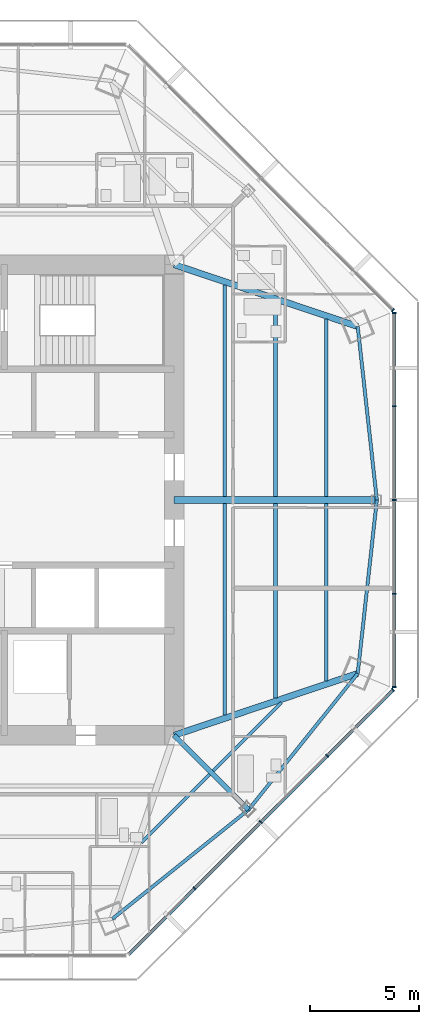
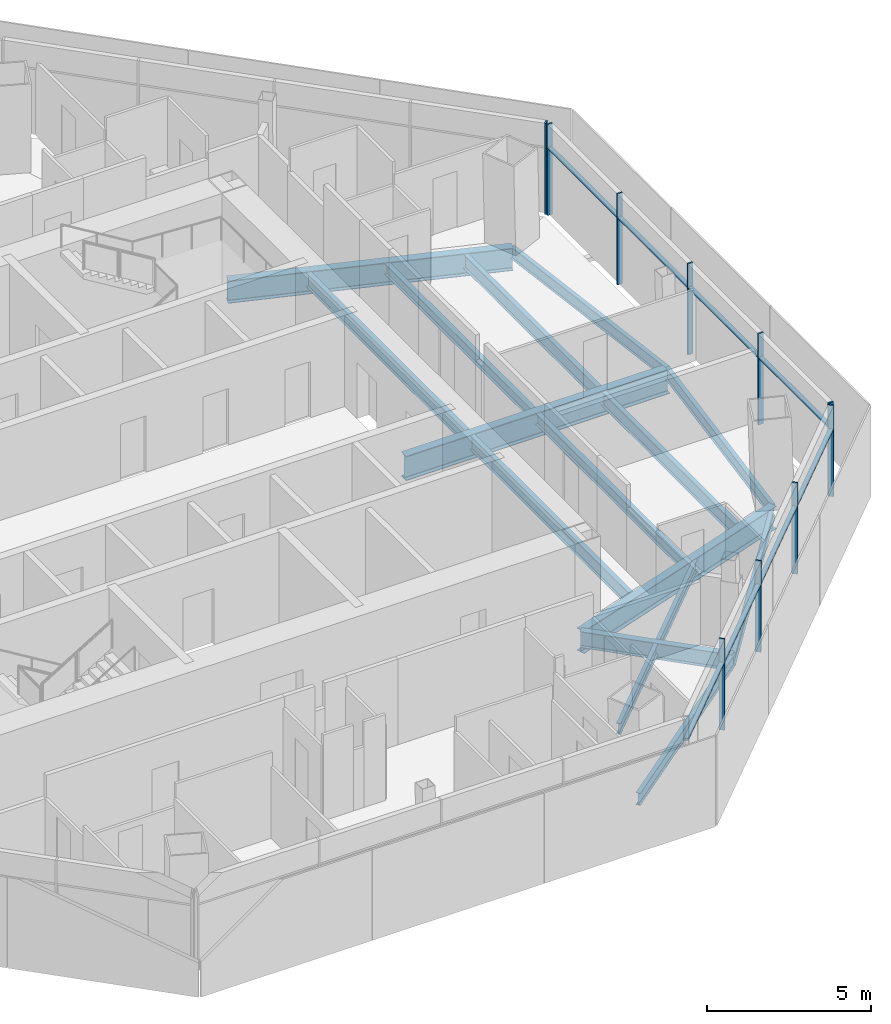
# One storey, part 4 of 14: 18 members, 16 beams, 3 elements without a shape of their own.
"""IFC4 building model written with IfcOpenShell, lengths in metres."""

from ifc_helpers import new_model, si_unit, direction, frame, origin, origin_2d, place, context, subcontext, project, spatial, rectangle, i_section, extrude, source, transform, mapped, material, material_profile, profile_set, type_object, type_shapes, element, aggregate, save


model = new_model("IFC4")

# Units and contexts
model_context = context("Model", 3, precision=1e-05, world=origin(), true_north=direction((0.0, 1.0)))
body_context = subcontext(model_context, "Body", "Model", "MODEL_VIEW")
ifc_project = project(units=[si_unit("LENGTHUNIT", "METRE"), si_unit("AREAUNIT", "SQUARE_METRE"), si_unit("VOLUMEUNIT", "CUBIC_METRE"), si_unit("PLANEANGLEUNIT", "RADIAN"), si_unit("MASSUNIT", "GRAM", prefix="KILO")], contexts=[model_context])

# Site, building, storey
site_placement = place(None, origin())
site = spatial("IfcSite", under=ifc_project, at=site_placement, CompositionType="ELEMENT")
building_placement = place(site_placement, origin())
building = spatial("IfcBuilding", under=site, at=building_placement, Name="Mashrafa Tower", CompositionType="ELEMENT")
storey_placement = place(building_placement, frame((0.0, 0.0, 251.60009765625)))
storey = spatial("IfcBuildingStorey", under=building, at=storey_placement, Name="L60", CompositionType="ELEMENT", Elevation=251.60009765625)

# Beams
ifc_material_1 = material(Name="Steel ASTM A992", Category="steel")
ifc_material_profile_1 = material_profile(ifc_material_1, i_section(OverallWidth=0.140380859375, OverallDepth=0.40380859375, WebThickness=0.007080078125, FlangeThickness=0.01123046875, FilletRadius=0.01025390625, at=origin_2d()), Name="W16X31")
ifc_profile_set_1 = profile_set([ifc_material_profile_1], Name="Steel ASTM A992")
beam_type_1 = type_object("IfcBeamType", Name="Beam W16X31", PredefinedType="BEAM", material=ifc_profile_set_1)
for number, where, z_axis, x_axis, name in (
    (1, (12.427001953125, -12.588134765625, -0.402099609375), (-0.707134372906, -0.707079188391, 0.0), (0.707079188391, -0.707134372906, 0.0), "Floor beam L60 024"),
    (2, (15.71630859375, -9.298583984375, -0.402099609375), (-0.707079188391, -0.707134372906, 0.0), (0.707134372906, -0.707079188391, 0.0), "Floor beam L60 030"),
):
    element("IfcBeam", number, at=place(storey_placement, frame(where, z_axis=z_axis, x_axis=x_axis)), inside=storey, type_object=beam_type_1, Name=name, PredefinedType="BEAM", context=body_context, shape_type="SweptSolid", body=[
        extrude(i_section(OverallWidth=0.140380859375, OverallDepth=0.40380859375, WebThickness=0.007080078125, FlangeThickness=0.01123046875, FilletRadius=0.01025390625, at=origin_2d()), origin(), (0.0, 0.0, 1.0), 4.424072265625),
    ])
ifc_material_2 = material(Name="Steel ASTM A992", Category="steel")
ifc_material_profile_2 = material_profile(ifc_material_2, i_section(OverallWidth=0.177734375, OverallDepth=0.406494140625, WebThickness=0.0078125, FlangeThickness=0.012939453125, FilletRadius=0.01025390625, at=origin_2d()), Name="W16X40")
ifc_profile_set_2 = profile_set([ifc_material_profile_2], Name="Steel ASTM A992")
beam_type_2 = type_object("IfcBeamType", Name="Beam W16X40", PredefinedType="BEAM", material=ifc_profile_set_2)
for number, where, z_axis, x_axis, name in (
    (3, (15.451416015625, -0.15234375, -0.4033203125), (0.0, -1.0, 0.0), (1.0, 0.0, 0.0), "Floor beam L60 028"),
    (4, (15.451416015625, 9.07958984375, -0.4033203125), (0.0, -1.0, 0.0), (1.0, 0.0, 0.0), "Floor beam L60 029"),
):
    element("IfcBeam", number, at=place(storey_placement, frame(where, z_axis=z_axis, x_axis=x_axis)), inside=storey, type_object=beam_type_2, Name=name, PredefinedType="BEAM", context=body_context, shape_type="SweptSolid", body=[
        extrude(i_section(OverallWidth=0.177734375, OverallDepth=0.406494140625, WebThickness=0.0078125, FlangeThickness=0.012939453125, FilletRadius=0.01025390625, at=origin_2d()), origin(), (0.0, 0.0, 1.0), 8.92724609375),
    ])
ifc_material_3 = material(Name="Steel ASTM A992", Category="steel")
ifc_material_profile_3 = material_profile(ifc_material_3, i_section(OverallWidth=0.15234375, OverallDepth=0.449462890625, WebThickness=0.007568359375, FlangeThickness=0.0107421875, FilletRadius=0.01025390625, at=origin_2d()), Name="W18X35")
ifc_profile_set_3 = profile_set([ifc_material_profile_3], Name="Steel ASTM A992")
beam_type_3 = type_object("IfcBeamType", Name="Beam W18X35", PredefinedType="BEAM", material=ifc_profile_set_3)
for number, where, z_axis, x_axis, name in (
    (5, (7.963134765625, -19.224853515625, -0.4248046875), (0.780342302091, 0.625352613785, 0.0), (-0.625352613785, 0.780342302091, 0.0), "Spandrel beam L60 058"),
    (6, (14.21484375, -14.21484375, -0.4248046875), (0.625352613785, 0.780342302091, 0.0), (-0.780342302091, 0.625352613785, 0.0), "Spandrel beam L60 060"),
    (7, (19.224853515625, -7.963134765625, -0.4248046875), (0.109615377287, 0.993974078667, 0.0), (-0.993974078667, 0.109615377287, 0.0), "Spandrel beam L60 062"),
    (8, (20.10302734375, 0.0, -0.4248046875), (-0.109615377287, 0.993974078667, 0.0), (-0.993974078667, -0.109615377287, 0.0), "Spandrel beam L60 064"),
):
    element("IfcBeam", number, at=place(storey_placement, frame(where, z_axis=z_axis, x_axis=x_axis)), inside=storey, type_object=beam_type_3, Name=name, PredefinedType="BEAM", context=body_context, shape_type="SweptSolid", body=[
        extrude(i_section(OverallWidth=0.15234375, OverallDepth=0.449462890625, WebThickness=0.007568359375, FlangeThickness=0.0107421875, FilletRadius=0.01025390625, at=origin_2d()), origin(), (0.0, 0.0, 1.0), 8.011474609375),
    ])
ifc_material_4 = material(Name="Steel ASTM A992", Category="steel")
ifc_material_profile_4 = material_profile(ifc_material_4, i_section(OverallWidth=0.165771484375, OverallDepth=0.5283203125, WebThickness=0.009765625, FlangeThickness=0.013671875, FilletRadius=0.012939453125, at=origin_2d()), Name="W21X50")
ifc_profile_set_4 = profile_set([ifc_material_profile_4], Name="Steel ASTM A992")
beam_type_4 = type_object("IfcBeamType", Name="Beam W21X50", PredefinedType="BEAM", material=ifc_profile_set_4)
for number, where, z_axis, x_axis, name in (
    (9, (13.125732421875, -0.15234375, -0.46435546875), (0.0, -1.0, 0.0), (1.0, 0.0, 0.0), "Floor beam L60 026"),
    (10, (13.125732421875, 9.86279296875, -0.46435546875), (0.0, -1.0, 0.0), (1.0, 0.0, 0.0), "Floor beam L60 027"),
):
    element("IfcBeam", number, at=place(storey_placement, frame(where, z_axis=z_axis, x_axis=x_axis)), inside=storey, type_object=beam_type_4, Name=name, PredefinedType="BEAM", context=body_context, shape_type="SweptSolid", body=[
        extrude(i_section(OverallWidth=0.165771484375, OverallDepth=0.5283203125, WebThickness=0.009765625, FlangeThickness=0.013671875, FilletRadius=0.012939453125, at=origin_2d()), origin(), (0.0, 0.0, 1.0), 9.71044921875),
    ])
for number, where, z_axis, x_axis, name in (
    (11, (17.77734375, -0.15234375, -0.46435546875), (0.0, -1.0, 0.0), (1.0, 0.0, 0.0), "Floor beam L60 031"),
    (12, (17.77734375, 8.29638671875, -0.46435546875), (0.0, -1.0, 0.0), (1.0, 0.0, 0.0), "Floor beam L60 032"),
):
    element("IfcBeam", number, at=place(storey_placement, frame(where, z_axis=z_axis, x_axis=x_axis)), inside=storey, type_object=beam_type_4, Name=name, PredefinedType="BEAM", context=body_context, shape_type="SweptSolid", body=[
        extrude(i_section(OverallWidth=0.165771484375, OverallDepth=0.5283203125, WebThickness=0.009765625, FlangeThickness=0.013671875, FilletRadius=0.012939453125, at=origin_2d()), origin(), (0.0, 0.0, 1.0), 8.14404296875),
    ])
ifc_material_5 = material(Name="Steel ASTM A992", Category="steel")
ifc_material_profile_5 = material_profile(ifc_material_5, i_section(OverallWidth=0.227783203125, OverallDepth=0.60205078125, WebThickness=0.010498046875, FlangeThickness=0.014892578125, FilletRadius=0.012939453125, at=origin_2d()), Name="W24X68")
ifc_profile_set_5 = profile_set([ifc_material_profile_5], Name="Steel ASTM A992")
beam_type_5 = type_object("IfcBeamType", Name="Beam W24X68", PredefinedType="BEAM", material=ifc_profile_set_5)
beam_1_placement = place(storey_placement, frame((10.800048828125, -10.800048828125, -0.5009765625), z_axis=(0.707106781187, -0.707106781187, 0.0), x_axis=(0.707106781187, 0.707106781187, 0.0)))
element("IfcBeam", 13, at=beam_1_placement, inside=storey, type_object=beam_type_5, Name="Radial girder L60 043", PredefinedType="BEAM", context=body_context, shape_type="SweptSolid", body=[
    extrude(i_section(OverallWidth=0.227783203125, OverallDepth=0.60205078125, WebThickness=0.010498046875, FlangeThickness=0.014892578125, FilletRadius=0.012939453125, at=origin_2d()), origin(), (0.0, 0.0, 1.0), 4.829345703125),
])
ifc_material_6 = material(Name="Steel ASTM A992", Category="steel")
ifc_material_profile_6 = material_profile(ifc_material_6, i_section(OverallWidth=0.2919921875, OverallDepth=0.8408203125, WebThickness=0.0146484375, FlangeThickness=0.021728515625, FilletRadius=0.017333984375, at=origin_2d()), Name="W33X130")
ifc_profile_set_6 = profile_set([ifc_material_profile_6], Name="Steel ASTM A992")
beam_type_6 = type_object("IfcBeamType", Name="Beam W33X130", PredefinedType="BEAM", material=ifc_profile_set_6)
for number, where, z_axis, x_axis, name in (
    (14, (10.800048828125, -10.800048828125, -0.620361328125), (0.947712148196, 0.319126439146, 0.0), (-0.319126439146, 0.947712148196, 0.0), "Radial girder L60 044"),
    (15, (10.800048828125, 10.800048828125, -0.620361328125), (0.947712148196, -0.319126439146, 0.0), (0.319126439146, 0.947712148196, 0.0), "Radial girder L60 048"),
):
    element("IfcBeam", number, at=place(storey_placement, frame(where, z_axis=z_axis, x_axis=x_axis)), inside=storey, type_object=beam_type_6, Name=name, PredefinedType="BEAM", context=body_context, shape_type="SweptSolid", body=[
        extrude(i_section(OverallWidth=0.2919921875, OverallDepth=0.8408203125, WebThickness=0.0146484375, FlangeThickness=0.021728515625, FilletRadius=0.017333984375, at=origin_2d()), origin(), (0.0, 0.0, 1.0), 8.8896484375),
    ])
ifc_material_7 = material(Name="Steel ASTM A992", Category="steel")
ifc_material_profile_7 = material_profile(ifc_material_7, i_section(OverallWidth=0.3046875, OverallDepth=0.911865234375, WebThickness=0.015869140625, FlangeThickness=0.02392578125, FilletRadius=0.01904296875, at=origin_2d()), Name="W36X150")
ifc_profile_set_7 = profile_set([ifc_material_profile_7], Name="Steel ASTM A992")
beam_type_7 = type_object("IfcBeamType", Name="Beam W36X150", PredefinedType="BEAM", material=ifc_profile_set_7)
beam_2_placement = place(storey_placement, frame((10.800048828125, 0.0, -0.656005859375), z_axis=(1.0, 0.0, 0.0), x_axis=(0.0, 1.0, 0.0)))
element("IfcBeam", 16, at=beam_2_placement, inside=storey, type_object=beam_type_7, Name="Radial girder L60 045", PredefinedType="BEAM", context=body_context, shape_type="SweptSolid", body=[
    extrude(i_section(OverallWidth=0.3046875, OverallDepth=0.911865234375, WebThickness=0.015869140625, FlangeThickness=0.02392578125, FilletRadius=0.01904296875, at=origin_2d()), origin(), (0.0, 0.0, 1.0), 9.302978515625),
])

# Curtain wall, members
ifc_material_8 = material(Name="Unitised aluminium curtain wall", Category="aluminium")
curtain_wall_type = type_object("IfcCurtainWallType", Name="Apartment curtain wall, zone 3 CW-C 180 deep", PredefinedType="NOTDEFINED", material=ifc_material_8)
curtain_wall_1_placement = place(storey_placement, origin())
curtain_wall_1 = element("IfcCurtainWall", 17, at=curtain_wall_1_placement, inside=storey, type_object=curtain_wall_type, Name="Apartment curtain wall, zone 3 L60 east", PredefinedType="NOTDEFINED")
ifc_material_9 = material(Name="Extruded aluminium mullion", Category="aluminium")
ifc_material_profile_8 = material_profile(ifc_material_9, rectangle(XDim=0.179931640625, YDim=0.06005859375, at=origin_2d()), Name="Mullion 60x180")
ifc_profile_set_8 = profile_set([ifc_material_profile_8], Name="Extruded aluminium mullion")
member_type_1 = type_object("IfcMemberType", Name="Mullion CW-C 60 x 180", PredefinedType="MULLION", material=ifc_profile_set_8)
shared_shape_1 = source(origin(), body_context, "Body", "SweptSolid", [
    extrude(rectangle(XDim=0.179931640625, YDim=0.06005859375, at=origin_2d()), origin(), (0.0, 0.0, 1.0), 3.39990234375),
])
type_shapes(member_type_1, [shared_shape_1])
member_1_placement = place(storey_placement, frame((20.897216796875, -8.57861328125, 0.0), z_axis=(0.0, 0.0, 1.0), x_axis=(-1.0, 0.0, 0.0)))
member_1 = element("IfcMember", 18, at=member_1_placement, type_object=member_type_1, Name="CW-C mullion 1", PredefinedType="MULLION", context=body_context, shape_type="MappedRepresentation", body=[
    mapped(shared_shape_1, transform((0.0, 0.0, 0.0))),
])
member_2_placement = place(storey_placement, frame((20.897216796875, -4.304443359375, 0.0), z_axis=(0.0, 0.0, 1.0), x_axis=(-1.0, 0.0, 0.0)))
member_2 = element("IfcMember", 19, at=member_2_placement, type_object=member_type_1, Name="CW-C mullion 2", PredefinedType="MULLION", context=body_context, shape_type="MappedRepresentation", body=[
    mapped(shared_shape_1, transform((0.0, 0.0, 0.0))),
])
member_3_placement = place(storey_placement, frame((20.897216796875, 0.0, 0.0), z_axis=(0.0, 0.0, 1.0), x_axis=(-1.0, 0.0, 0.0)))
member_3 = element("IfcMember", 20, at=member_3_placement, type_object=member_type_1, Name="CW-C mullion 3", PredefinedType="MULLION", context=body_context, shape_type="MappedRepresentation", body=[
    mapped(shared_shape_1, transform((0.0, 0.0, 0.0))),
])
member_4_placement = place(storey_placement, frame((20.897216796875, 4.304443359375, 0.0), z_axis=(0.0, 0.0, 1.0), x_axis=(-1.0, 0.0, 0.0)))
member_4 = element("IfcMember", 21, at=member_4_placement, type_object=member_type_1, Name="CW-C mullion 4", PredefinedType="MULLION", context=body_context, shape_type="MappedRepresentation", body=[
    mapped(shared_shape_1, transform((0.0, 0.0, 0.0))),
])
member_5_placement = place(storey_placement, frame((20.897216796875, 8.57861328125, 0.0), z_axis=(0.0, 0.0, 1.0), x_axis=(-1.0, 0.0, 0.0)))
member_5 = element("IfcMember", 22, at=member_5_placement, type_object=member_type_1, Name="CW-C mullion 5", PredefinedType="MULLION", context=body_context, shape_type="MappedRepresentation", body=[
    mapped(shared_shape_1, transform((0.0, 0.0, 0.0))),
])

# Curtain wall, member
curtain_wall_2_placement = place(storey_placement, origin())
curtain_wall_2 = element("IfcCurtainWall", 23, at=curtain_wall_2_placement, inside=storey, type_object=curtain_wall_type, Name="Apartment curtain wall, zone 3 L60 north-east", PredefinedType="NOTDEFINED")
member_6_placement = place(storey_placement, frame((20.8427734375, 8.710693359375, 0.0), z_axis=(0.0, 0.0, 1.0), x_axis=(-0.707106781187, -0.707106781187, 0.0)))
member_6 = element("IfcMember", 24, at=member_6_placement, type_object=member_type_1, Name="CW-C mullion 1", PredefinedType="MULLION", context=body_context, shape_type="MappedRepresentation", body=[
    mapped(shared_shape_1, transform((0.0, 0.0, 0.0))),
])
aggregate(curtain_wall_2, [member_6])

# Curtain wall, members
curtain_wall_3_placement = place(storey_placement, origin())
curtain_wall_3 = element("IfcCurtainWall", 25, at=curtain_wall_3_placement, inside=storey, type_object=curtain_wall_type, Name="Apartment curtain wall, zone 3 L60 south-east", PredefinedType="NOTDEFINED")
member_7_placement = place(storey_placement, frame((11.73291015625, -17.8203125, 0.0), z_axis=(0.0, 0.0, 1.0), x_axis=(-0.707106781187, 0.707106781187, 0.0)))
member_7 = element("IfcMember", 26, at=member_7_placement, type_object=member_type_1, Name="CW-C mullion 2", PredefinedType="MULLION", context=body_context, shape_type="MappedRepresentation", body=[
    mapped(shared_shape_1, transform((0.0, 0.0, 0.0))),
])
member_8_placement = place(storey_placement, frame((14.776611328125, -14.776611328125, 0.0), z_axis=(0.0, 0.0, 1.0), x_axis=(-0.707106781187, 0.707106781187, 0.0)))
member_8 = element("IfcMember", 27, at=member_8_placement, type_object=member_type_1, Name="CW-C mullion 3", PredefinedType="MULLION", context=body_context, shape_type="MappedRepresentation", body=[
    mapped(shared_shape_1, transform((0.0, 0.0, 0.0))),
])
member_9_placement = place(storey_placement, frame((17.8203125, -11.73291015625, 0.0), z_axis=(0.0, 0.0, 1.0), x_axis=(-0.707106781187, 0.707106781187, 0.0)))
member_9 = element("IfcMember", 28, at=member_9_placement, type_object=member_type_1, Name="CW-C mullion 4", PredefinedType="MULLION", context=body_context, shape_type="MappedRepresentation", body=[
    mapped(shared_shape_1, transform((0.0, 0.0, 0.0))),
])
member_10_placement = place(storey_placement, frame((20.8427734375, -8.710693359375, 0.0), z_axis=(0.0, 0.0, 1.0), x_axis=(-0.707106781187, 0.707106781187, 0.0)))
member_10 = element("IfcMember", 29, at=member_10_placement, type_object=member_type_1, Name="CW-C mullion 5", PredefinedType="MULLION", context=body_context, shape_type="MappedRepresentation", body=[
    mapped(shared_shape_1, transform((0.0, 0.0, 0.0))),
])

# Member
ifc_material_10 = material(Name="Extruded aluminium transom", Category="aluminium")
ifc_material_profile_9 = material_profile(ifc_material_10, rectangle(XDim=0.14404296875, YDim=0.074951171875, at=origin_2d()), Name="Transom 75x144")
ifc_profile_set_9 = profile_set([ifc_material_profile_9], Name="Extruded aluminium transom")
member_type_2 = type_object("IfcMemberType", Name="Transom CW-C 75 x 144", PredefinedType="MULLION", material=ifc_profile_set_9)
shared_shape_2 = source(origin(), body_context, "Body", "SweptSolid", [
    extrude(rectangle(XDim=0.14404296875, YDim=0.074951171875, at=origin_2d()), origin(), (0.0, 0.0, 1.0), 4.21435546875),
])
member_11_placement = place(storey_placement, frame((20.897216796875, -8.548583984375, 2.5), z_axis=(0.0, 1.0, 0.0), x_axis=(-1.0, 0.0, 0.0)))
member_11 = element("IfcMember", 30, at=member_11_placement, type_object=member_type_2, Name="CW-C transom 1", PredefinedType="MULLION", context=body_context, shape_type="MappedRepresentation", body=[
    mapped(shared_shape_2, transform((0.0, 0.0, 0.0))),
])

member_12_placement = place(storey_placement, frame((20.897216796875, 4.334228515625, 2.5), z_axis=(0.0, 1.0, 0.0), x_axis=(-1.0, 0.0, 0.0)))
member_12 = element("IfcMember", 31, at=member_12_placement, type_object=member_type_2, Name="CW-C transom 4", PredefinedType="MULLION", context=body_context, shape_type="MappedRepresentation", body=[
    mapped(shared_shape_2, transform((0.0, 0.0, 0.0))),
])

shared_shape_3 = source(origin(), body_context, "Body", "SweptSolid", [
    extrude(rectangle(XDim=0.14404296875, YDim=0.074951171875, at=origin_2d()), origin(), (0.0, 0.0, 1.0), 4.244384765625),
])
member_13_placement = place(storey_placement, frame((20.897216796875, -4.2744140625, 2.5), z_axis=(0.0, 1.0, 0.0), x_axis=(-1.0, 0.0, 0.0)))
member_13 = element("IfcMember", 32, at=member_13_placement, type_object=member_type_2, Name="CW-C transom 2", PredefinedType="MULLION", context=body_context, shape_type="MappedRepresentation", body=[
    mapped(shared_shape_3, transform((0.0, 0.0, 0.0))),
])

member_14_placement = place(storey_placement, frame((20.897216796875, 0.030029296875, 2.5), z_axis=(0.0, 1.0, 0.0), x_axis=(-1.0, 0.0, 0.0)))
member_14 = element("IfcMember", 33, at=member_14_placement, type_object=member_type_2, Name="CW-C transom 3", PredefinedType="MULLION", context=body_context, shape_type="MappedRepresentation", body=[
    mapped(shared_shape_3, transform((0.0, 0.0, 0.0))),
])

aggregate(curtain_wall_1, [member_1, member_2, member_3, member_4, member_5, member_11, member_13, member_14, member_12])

member_15_placement = place(storey_placement, frame((11.754150390625, -17.799072265625, 2.5), z_axis=(0.707106781187, 0.707106781187, 0.0), x_axis=(-0.707106781187, 0.707106781187, 0.0)))
member_15 = element("IfcMember", 34, at=member_15_placement, type_object=member_type_2, Name="CW-C transom 2", PredefinedType="MULLION", context=body_context, shape_type="MappedRepresentation", body=[
    mapped(shared_shape_3, transform((0.0, 0.0, 0.0))),
])

member_16_placement = place(storey_placement, frame((14.7978515625, -14.75537109375, 2.5), z_axis=(0.707106781187, 0.707106781187, 0.0), x_axis=(-0.707106781187, 0.707106781187, 0.0)))
member_16 = element("IfcMember", 35, at=member_16_placement, type_object=member_type_2, Name="CW-C transom 3", PredefinedType="MULLION", context=body_context, shape_type="MappedRepresentation", body=[
    mapped(shared_shape_3, transform((0.0, 0.0, 0.0))),
])

shared_shape_4 = source(origin(), body_context, "Body", "SweptSolid", [
    extrude(rectangle(XDim=0.14404296875, YDim=0.074951171875, at=origin_2d()), origin(), (0.0, 0.0, 1.0), 4.214599609375),
])
type_shapes(member_type_2, [shared_shape_2, shared_shape_3, shared_shape_4])
member_17_placement = place(storey_placement, frame((8.731689453125, -20.821533203125, 2.5), z_axis=(0.707135744948, 0.707077816239, 0.0), x_axis=(-0.707077816239, 0.707135744948, 0.0)))
member_17 = element("IfcMember", 36, at=member_17_placement, type_object=member_type_2, Name="CW-C transom 1", PredefinedType="MULLION", context=body_context, shape_type="MappedRepresentation", body=[
    mapped(shared_shape_4, transform((0.0, 0.0, 0.0))),
])

member_18_placement = place(storey_placement, frame((17.841552734375, -11.7119140625, 2.5), z_axis=(0.707077816239, 0.707135744948, 0.0), x_axis=(-0.707135744948, 0.707077816239, 0.0)))
member_18 = element("IfcMember", 37, at=member_18_placement, type_object=member_type_2, Name="CW-C transom 4", PredefinedType="MULLION", context=body_context, shape_type="MappedRepresentation", body=[
    mapped(shared_shape_4, transform((0.0, 0.0, 0.0))),
])

aggregate(curtain_wall_3, [member_7, member_8, member_9, member_10, member_17, member_15, member_16, member_18])

save(model, "model.ifc")
